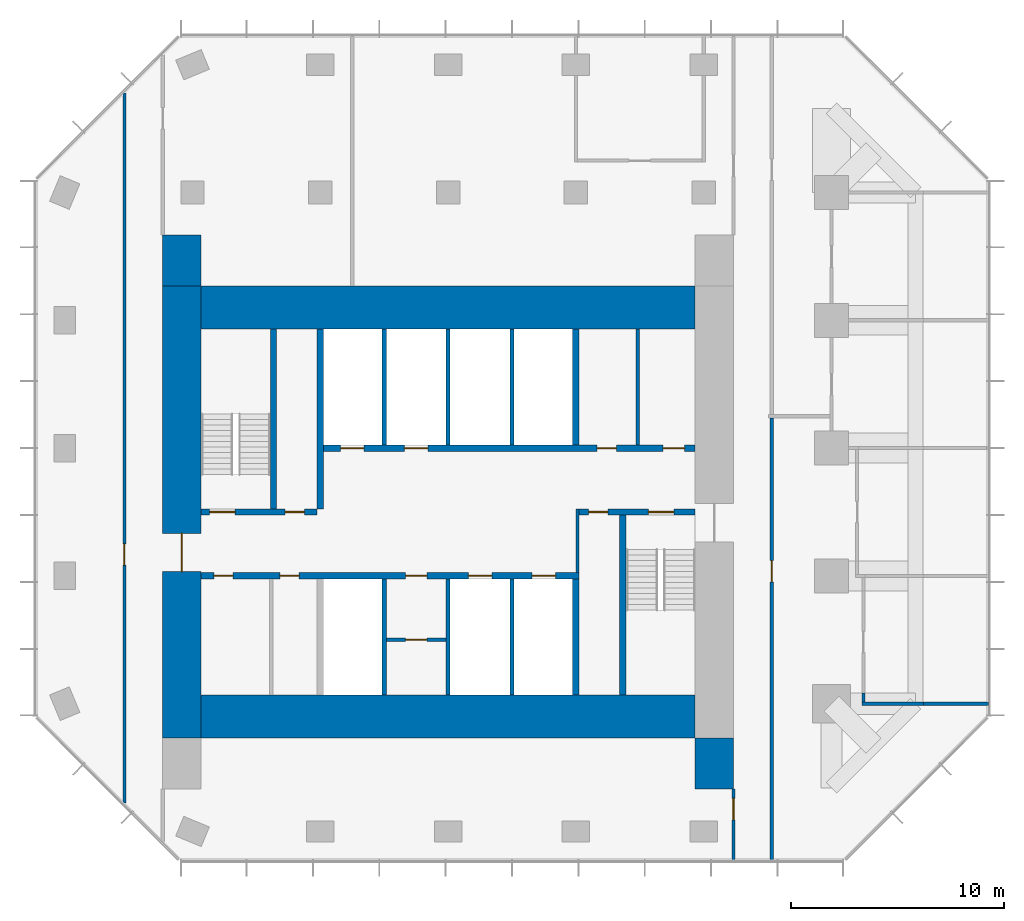
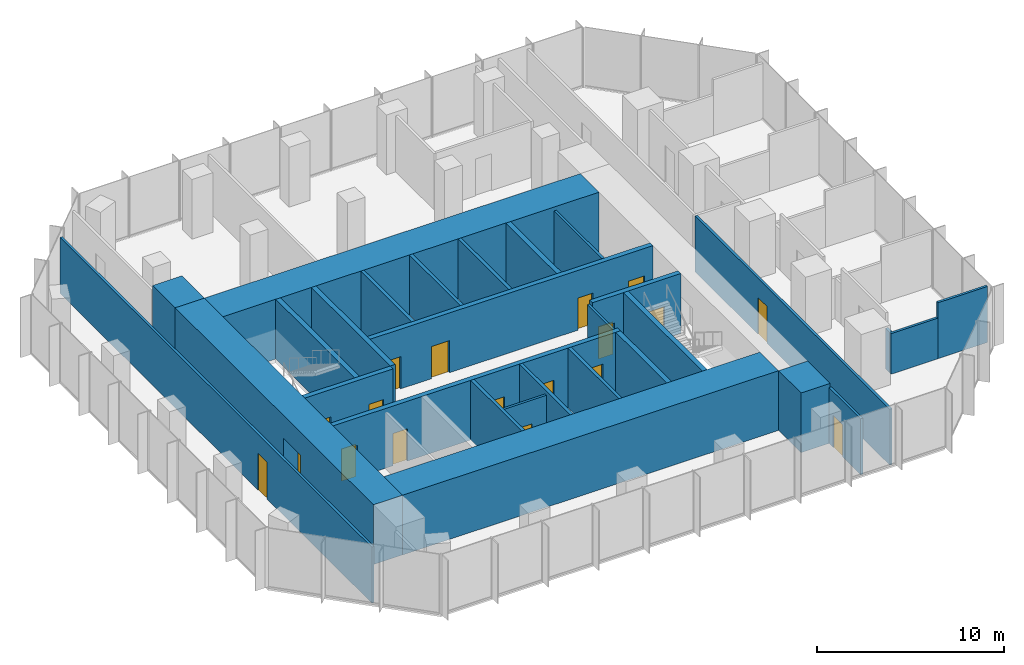
# One storey, part 8 of 10: 29 walls, 18 doors, 18 openings.
"""IFC4 building model written with IfcOpenShell, lengths in metres."""

from ifc_helpers import new_model, si_unit, direction, frame, frame_2d, origin, place, context, subcontext, project, spatial, rectangle, extrude, material, layer, layer_set, type_object, element, fill, save


model = new_model("IFC4")

# Units and contexts
model_context = context("Model", 3, precision=1e-05, world=origin(), true_north=direction((0.0, 1.0)))
body_context = subcontext(model_context, "Body", "Model", "MODEL_VIEW")
ifc_project = project(units=[si_unit("LENGTHUNIT", "METRE"), si_unit("AREAUNIT", "SQUARE_METRE"), si_unit("VOLUMEUNIT", "CUBIC_METRE"), si_unit("PLANEANGLEUNIT", "RADIAN"), si_unit("MASSUNIT", "GRAM", prefix="KILO")], contexts=[model_context])

# Site, building, storey
site_placement = place(None, origin())
site = spatial("IfcSite", under=ifc_project, at=site_placement, CompositionType="ELEMENT")
building_placement = place(site_placement, origin())
building = spatial("IfcBuilding", under=site, at=building_placement, Name="Highveld Stack Headquarters", CompositionType="ELEMENT")
storey_placement = place(building_placement, frame((0.0, 0.0, 248.89990234375)))
storey = spatial("IfcBuildingStorey", under=building, at=storey_placement, Name="L61", CompositionType="ELEMENT", Elevation=248.89990234375)

# Wall, opening, door
ifc_material_1 = material(Name="Concrete C60/75", Category="concrete")
ifc_layer_1 = layer(ifc_material_1, 1.800048828125)
ifc_layer_set_1 = layer_set([ifc_layer_1], Name="Concrete C60/75")
wall_type_1 = type_object("IfcWallType", Name="CORE WALL 1800 C60/75", PredefinedType="SHEAR", material=ifc_layer_set_1)
wall_1_placement = place(storey_placement, frame((-6.5, -7.60009765625, 0.0), z_axis=(0.0, 0.0, 1.0), x_axis=(0.0, 1.0, 0.0)))
wall_1 = element("IfcWall", 1, at=wall_1_placement, inside=storey, type_object=wall_type_1, Name="Core wall W L61", PredefinedType="SHEAR", context=body_context, shape_type="SweptSolid", body=[
    extrude(rectangle(XDim=21.2001953125, YDim=1.800048828125, at=frame_2d((10.60009765625, 0.0))), origin(), (0.0, 0.0, 1.0), 3.900146484375),
])
opening_1_placement = place(wall_1_placement, frame((7.800048828125, 0.0, 0.0)))
opening_1 = element("IfcOpeningElement", 2, at=opening_1_placement, cuts=wall_1, Name="Opening L61-01", PredefinedType="OPENING", context=body_context, shape_type="SweptSolid", body=[
    extrude(rectangle(XDim=1.800048828125, YDim=2.39990234375, at=frame_2d((0.89990234375, 1.199951171875))), frame((0.0, 0.909912109375, 0.0), z_axis=(0.0, -1.0, 0.0), x_axis=(1.0, 0.0, 0.0)), (0.0, 0.0, 1.0), 1.820068359375),
])
ifc_material_2 = material(Name="Steel fire door", Category="steel")
door_type_1 = type_object("IfcDoorType", Name="LOBBY FIRE DOOR D4 1800x2400", OperationType="DOUBLE_DOOR_SINGLE_SWING", PredefinedType="DOOR", material=ifc_material_2)
door_1_placement = place(opening_1_placement, origin())
door_1 = element("IfcDoor", 3, at=door_1_placement, inside=storey, type_object=door_type_1, Name="Core west door L61", OperationType="DOUBLE_DOOR_SINGLE_SWING", OverallHeight=2.39990234375, OverallWidth=1.800048828125, PredefinedType="DOOR", context=body_context, shape_type="SweptSolid", body=[
    extrude(rectangle(XDim=1.800048828125, YDim=2.39990234375, at=frame_2d((0.89990234375, 1.199951171875))), frame((0.0, 0.02490234375, 0.0), z_axis=(0.0, -1.0, 0.0), x_axis=(1.0, 0.0, 0.0)), (0.0, 0.0, 1.0), 0.050048828125),
])
fill(opening_1, door_1)

# Walls
ifc_material_3 = material(Name="Concrete C60/75", Category="concrete")
ifc_layer_2 = layer(ifc_material_3, 2.0)
ifc_layer_set_2 = layer_set([ifc_layer_2], Name="Concrete C60/75")
wall_type_2 = type_object("IfcWallType", Name="CORE WALL 2000 C60/75", PredefinedType="SHEAR", material=ifc_layer_set_2)
for number, where, z_axis, x_axis, name in (
    (4, (-5.60009765625, -6.60009765625, 0.0), (0.0, 0.0, 1.0), (1.0, 0.0, 0.0), "Core wall S L61"),
    (5, (-5.60009765625, 12.60009765625, 0.0), (0.0, 0.0, 1.0), (1.0, 0.0, 0.0), "Core wall N L61"),
):
    element("IfcWall", number, at=place(storey_placement, frame(where, z_axis=z_axis, x_axis=x_axis)), inside=storey, type_object=wall_type_2, Name=name, PredefinedType="SHEAR", context=body_context, shape_type="SweptSolid", body=[
        extrude(rectangle(XDim=23.2001953125, YDim=2.0, at=frame_2d((11.60009765625, 0.0))), origin(), (0.0, 0.0, 1.0), 3.900146484375),
    ])

# Wall, openings, doors
ifc_material_4 = material(Name="Concrete C60/75", Category="concrete")
ifc_layer_3 = layer(ifc_material_4, 0.300048828125)
ifc_layer_set_3 = layer_set([ifc_layer_3], Name="Concrete C60/75")
wall_type_3 = type_object("IfcWallType", Name="CORE WALL 300 C60/75", PredefinedType="SHEAR", material=ifc_layer_set_3)
wall_2_placement = place(storey_placement, frame((-5.60009765625, 0.0, 0.0), z_axis=(0.0, 0.0, 1.0), x_axis=(1.0, 0.0, 0.0)))
wall_2 = element("IfcWall", 6, at=wall_2_placement, inside=storey, type_object=wall_type_3, Name="Core wall I-Y0 L61", PredefinedType="SHEAR", context=body_context, shape_type="SweptSolid", body=[
    extrude(rectangle(XDim=17.75, YDim=0.300048828125, at=frame_2d((8.875, 0.0))), origin(), (0.0, 0.0, 1.0), 3.900146484375),
])
opening_2_placement = place(wall_2_placement, frame((0.60009765625, 0.0, 0.0)))
opening_2 = element("IfcOpeningElement", 7, at=opening_2_placement, cuts=wall_2, Name="Opening L61-07", PredefinedType="OPENING", context=body_context, shape_type="SweptSolid", body=[
    extrude(rectangle(XDim=0.89990234375, YDim=2.10009765625, at=frame_2d((0.449951171875, 1.050048828125))), frame((0.0, 0.159912109375, 0.0), z_axis=(0.0, -1.0, 0.0), x_axis=(1.0, 0.0, 0.0)), (0.0, 0.0, 1.0), 0.320068359375),
])
opening_3_placement = place(wall_2_placement, frame((3.699951171875, 0.0, 0.0)))
opening_3 = element("IfcOpeningElement", 8, at=opening_3_placement, cuts=wall_2, Name="Opening L61-08", PredefinedType="OPENING", context=body_context, shape_type="SweptSolid", body=[
    extrude(rectangle(XDim=0.89990234375, YDim=2.10009765625, at=frame_2d((0.449951171875, 1.050048828125))), frame((0.0, 0.159912109375, 0.0), z_axis=(0.0, -1.0, 0.0), x_axis=(1.0, 0.0, 0.0)), (0.0, 0.0, 1.0), 0.320068359375),
])
opening_4_placement = place(wall_2_placement, frame((9.60009765625, 0.0, 0.0)))
opening_4 = element("IfcOpeningElement", 9, at=opening_4_placement, cuts=wall_2, Name="Opening L61-12", PredefinedType="OPENING", context=body_context, shape_type="SweptSolid", body=[
    extrude(rectangle(XDim=1.0, YDim=2.10009765625, at=frame_2d((0.5, 1.050048828125))), frame((0.0, 0.159912109375, 0.0), z_axis=(0.0, -1.0, 0.0), x_axis=(1.0, 0.0, 0.0)), (0.0, 0.0, 1.0), 0.320068359375),
])
opening_5_placement = place(wall_2_placement, frame((12.550048828125, 0.0, 0.0)))
opening_5 = element("IfcOpeningElement", 10, at=opening_5_placement, cuts=wall_2, Name="Opening LD", PredefinedType="OPENING", context=body_context, shape_type="SweptSolid", body=[
    extrude(rectangle(XDim=1.10009765625, YDim=2.10009765625, at=frame_2d((0.550048828125, 1.050048828125))), frame((0.0, 0.159912109375, 0.0), z_axis=(0.0, -1.0, 0.0), x_axis=(1.0, 0.0, 0.0)), (0.0, 0.0, 1.0), 0.320068359375),
])
opening_6_placement = place(wall_2_placement, frame((15.550048828125, 0.0, 0.0)))
opening_6 = element("IfcOpeningElement", 11, at=opening_6_placement, cuts=wall_2, Name="Opening LD", PredefinedType="OPENING", context=body_context, shape_type="SweptSolid", body=[
    extrude(rectangle(XDim=1.10009765625, YDim=2.10009765625, at=frame_2d((0.550048828125, 1.050048828125))), frame((0.0, 0.159912109375, 0.0), z_axis=(0.0, -1.0, 0.0), x_axis=(1.0, 0.0, 0.0)), (0.0, 0.0, 1.0), 0.320068359375),
])
ifc_material_5 = material(Name="Steel fire door", Category="steel")
door_type_2 = type_object("IfcDoorType", Name="CORE ROOM FIRE DOOR D14 1000x2100", OperationType="SINGLE_SWING_LEFT", PredefinedType="DOOR", material=ifc_material_5)
door_2_placement = place(opening_4_placement, origin())
door_2 = element("IfcDoor", 12, at=door_2_placement, inside=storey, type_object=door_type_2, Name="Capped B 1 door L61", OperationType="SINGLE_SWING_RIGHT", OverallHeight=2.10009765625, OverallWidth=1.0, PredefinedType="DOOR", context=body_context, shape_type="SweptSolid", body=[
    extrude(rectangle(XDim=1.0, YDim=2.10009765625, at=frame_2d((0.5, 1.050048828125))), frame((0.0, 0.02490234375, 0.0), z_axis=(0.0, -1.0, 0.0), x_axis=(1.0, 0.0, 0.0)), (0.0, 0.0, 1.0), 0.050048828125),
])
fill(opening_4, door_2)
ifc_material_6 = material(Name="Stainless steel lift landing door", Category="steel")
door_type_3 = type_object("IfcDoorType", Name="LIFT LANDING DOOR LD 1100x2100", OperationType="DOUBLE_DOOR_SLIDING", PredefinedType="USERDEFINED", material=ifc_material_6)
door_3_placement = place(opening_5_placement, origin())
door_3 = element("IfcDoor", 13, at=door_3_placement, inside=storey, type_object=door_type_3, Name="Lift landing door C1 L61", ObjectType="LIFT LANDING DOOR", OperationType="DOUBLE_DOOR_SLIDING", OverallHeight=2.10009765625, OverallWidth=1.10009765625, PredefinedType="USERDEFINED", context=body_context, shape_type="SweptSolid", body=[
    extrude(rectangle(XDim=1.10009765625, YDim=2.10009765625, at=frame_2d((0.550048828125, 1.050048828125))), frame((0.0, 0.02490234375, 0.0), z_axis=(0.0, -1.0, 0.0), x_axis=(1.0, 0.0, 0.0)), (0.0, 0.0, 1.0), 0.050048828125),
])
fill(opening_5, door_3)
door_4_placement = place(opening_6_placement, origin())
door_4 = element("IfcDoor", 14, at=door_4_placement, inside=storey, type_object=door_type_3, Name="Lift landing door C2 L61", ObjectType="LIFT LANDING DOOR", OperationType="DOUBLE_DOOR_SLIDING", OverallHeight=2.10009765625, OverallWidth=1.10009765625, PredefinedType="USERDEFINED", context=body_context, shape_type="SweptSolid", body=[
    extrude(rectangle(XDim=1.10009765625, YDim=2.10009765625, at=frame_2d((0.550048828125, 1.050048828125))), frame((0.0, 0.02490234375, 0.0), z_axis=(0.0, -1.0, 0.0), x_axis=(1.0, 0.0, 0.0)), (0.0, 0.0, 1.0), 0.050048828125),
])
fill(opening_6, door_4)
ifc_material_7 = material(Name="Timber door, painted", Category="wood")
door_type_4 = type_object("IfcDoorType", Name="WC DOOR D1 900x2100", OperationType="SINGLE_SWING_LEFT", PredefinedType="DOOR", material=ifc_material_7)
door_5_placement = place(opening_2_placement, origin())
door_5 = element("IfcDoor", 15, at=door_5_placement, inside=storey, type_object=door_type_4, Name="Female WC door L61", OperationType="SINGLE_SWING_LEFT", OverallHeight=2.10009765625, OverallWidth=0.89990234375, PredefinedType="DOOR", context=body_context, shape_type="SweptSolid", body=[
    extrude(rectangle(XDim=0.89990234375, YDim=2.10009765625, at=frame_2d((0.449951171875, 1.050048828125))), frame((0.0, 0.02490234375, 0.0), z_axis=(0.0, -1.0, 0.0), x_axis=(1.0, 0.0, 0.0)), (0.0, 0.0, 1.0), 0.050048828125),
])
fill(opening_2, door_5)
door_6_placement = place(opening_3_placement, origin())
door_6 = element("IfcDoor", 16, at=door_6_placement, inside=storey, type_object=door_type_4, Name="Shower and changing room door L61", OperationType="SINGLE_SWING_LEFT", OverallHeight=2.10009765625, OverallWidth=0.89990234375, PredefinedType="DOOR", context=body_context, shape_type="SweptSolid", body=[
    extrude(rectangle(XDim=0.89990234375, YDim=2.10009765625, at=frame_2d((0.449951171875, 1.050048828125))), frame((0.0, 0.02490234375, 0.0), z_axis=(0.0, -1.0, 0.0), x_axis=(1.0, 0.0, 0.0)), (0.0, 0.0, 1.0), 0.050048828125),
])
fill(opening_3, door_6)

wall_3_placement = place(storey_placement, frame((-5.60009765625, 3.0, 0.0), z_axis=(0.0, 0.0, 1.0), x_axis=(1.0, 0.0, 0.0)))
wall_3 = element("IfcWall", 17, at=wall_3_placement, inside=storey, type_object=wall_type_3, Name="Core wall I-Y3W L61", PredefinedType="SHEAR", context=body_context, shape_type="SweptSolid", body=[
    extrude(rectangle(XDim=5.4501953125, YDim=0.300048828125, at=frame_2d((2.72509765625, 0.0))), origin(), (0.0, 0.0, 1.0), 3.900146484375),
])
opening_7_placement = place(wall_3_placement, frame((0.39990234375, 0.0, 0.0)))
opening_7 = element("IfcOpeningElement", 18, at=opening_7_placement, cuts=wall_3, Name="Opening L61-03", PredefinedType="OPENING", context=body_context, shape_type="SweptSolid", body=[
    extrude(rectangle(XDim=1.199951171875, YDim=2.10009765625, at=frame_2d((0.60009765625, 1.050048828125))), frame((0.0, 0.159912109375, 0.0), z_axis=(0.0, -1.0, 0.0), x_axis=(1.0, 0.0, 0.0)), (0.0, 0.0, 1.0), 0.320068359375),
])
opening_8_placement = place(wall_3_placement, frame((3.949951171875, 0.0, 0.0)))
opening_8 = element("IfcOpeningElement", 19, at=opening_8_placement, cuts=wall_3, Name="Opening L61-04", PredefinedType="OPENING", context=body_context, shape_type="SweptSolid", body=[
    extrude(rectangle(XDim=0.89990234375, YDim=2.10009765625, at=frame_2d((0.449951171875, 1.050048828125))), frame((0.0, 0.159912109375, 0.0), z_axis=(0.0, -1.0, 0.0), x_axis=(1.0, 0.0, 0.0)), (0.0, 0.0, 1.0), 0.320068359375),
])
ifc_material_8 = material(Name="Steel fire door", Category="steel")
door_type_5 = type_object("IfcDoorType", Name="RISER ACCESS DOOR D5 900x2100", OperationType="SINGLE_SWING_LEFT", PredefinedType="DOOR", material=ifc_material_8)
door_7_placement = place(opening_8_placement, origin())
door_7 = element("IfcDoor", 20, at=door_7_placement, inside=storey, type_object=door_type_5, Name="Riser R1 door L61", OperationType="SINGLE_SWING_RIGHT", OverallHeight=2.10009765625, OverallWidth=0.89990234375, PredefinedType="DOOR", context=body_context, shape_type="SweptSolid", body=[
    extrude(rectangle(XDim=0.89990234375, YDim=2.10009765625, at=frame_2d((0.449951171875, 1.050048828125))), frame((0.0, 0.02490234375, 0.0), z_axis=(0.0, -1.0, 0.0), x_axis=(1.0, 0.0, 0.0)), (0.0, 0.0, 1.0), 0.050048828125),
])
fill(opening_8, door_7)
ifc_material_9 = material(Name="Steel fire door", Category="steel")
door_type_6 = type_object("IfcDoorType", Name="STAIR FIRE DOOR D3 1200x2100", OperationType="SINGLE_SWING_LEFT", PredefinedType="DOOR", material=ifc_material_9)
door_8_placement = place(opening_7_placement, origin())
door_8 = element("IfcDoor", 21, at=door_8_placement, inside=storey, type_object=door_type_6, Name="Stair S1 door L61", OperationType="SINGLE_SWING_LEFT", OverallHeight=2.10009765625, OverallWidth=1.199951171875, PredefinedType="DOOR", context=body_context, shape_type="SweptSolid", body=[
    extrude(rectangle(XDim=1.199951171875, YDim=2.10009765625, at=frame_2d((0.60009765625, 1.050048828125))), frame((0.0, 0.02490234375, 0.0), z_axis=(0.0, -1.0, 0.0), x_axis=(1.0, 0.0, 0.0)), (0.0, 0.0, 1.0), 0.050048828125),
])
fill(opening_7, door_8)

wall_4_placement = place(storey_placement, frame((12.14990234375, 3.0, 0.0), z_axis=(0.0, 0.0, 1.0), x_axis=(1.0, 0.0, 0.0)))
wall_4 = element("IfcWall", 22, at=wall_4_placement, inside=storey, type_object=wall_type_3, Name="Core wall I-Y3E L61", PredefinedType="SHEAR", context=body_context, shape_type="SweptSolid", body=[
    extrude(rectangle(XDim=5.4501953125, YDim=0.300048828125, at=frame_2d((2.72509765625, 0.0))), origin(), (0.0, 0.0, 1.0), 3.900146484375),
])
opening_9_placement = place(wall_4_placement, frame((3.25, 0.0, 0.0)))
opening_9 = element("IfcOpeningElement", 23, at=opening_9_placement, cuts=wall_4, Name="Opening L61-05", PredefinedType="OPENING", context=body_context, shape_type="SweptSolid", body=[
    extrude(rectangle(XDim=1.199951171875, YDim=2.10009765625, at=frame_2d((0.60009765625, 1.050048828125))), frame((0.0, 0.159912109375, 0.0), z_axis=(0.0, -1.0, 0.0), x_axis=(1.0, 0.0, 0.0)), (0.0, 0.0, 1.0), 0.320068359375),
])
opening_10_placement = place(wall_4_placement, frame((0.449951171875, 0.0, 0.0)))
opening_10 = element("IfcOpeningElement", 24, at=opening_10_placement, cuts=wall_4, Name="Opening L61-06", PredefinedType="OPENING", context=body_context, shape_type="SweptSolid", body=[
    extrude(rectangle(XDim=0.89990234375, YDim=2.10009765625, at=frame_2d((0.449951171875, 1.050048828125))), frame((0.0, 0.159912109375, 0.0), z_axis=(0.0, -1.0, 0.0), x_axis=(1.0, 0.0, 0.0)), (0.0, 0.0, 1.0), 0.320068359375),
])
door_9_placement = place(opening_10_placement, origin())
door_9 = element("IfcDoor", 25, at=door_9_placement, inside=storey, type_object=door_type_5, Name="Riser R2 door L61", OperationType="SINGLE_SWING_LEFT", OverallHeight=2.10009765625, OverallWidth=0.89990234375, PredefinedType="DOOR", context=body_context, shape_type="SweptSolid", body=[
    extrude(rectangle(XDim=0.89990234375, YDim=2.10009765625, at=frame_2d((0.449951171875, 1.050048828125))), frame((0.0, 0.02490234375, 0.0), z_axis=(0.0, -1.0, 0.0), x_axis=(1.0, 0.0, 0.0)), (0.0, 0.0, 1.0), 0.050048828125),
])
fill(opening_10, door_9)
door_10_placement = place(opening_9_placement, origin())
door_10 = element("IfcDoor", 26, at=door_10_placement, inside=storey, type_object=door_type_6, Name="Stair S2 door L61", OperationType="SINGLE_SWING_RIGHT", OverallHeight=2.10009765625, OverallWidth=1.199951171875, PredefinedType="DOOR", context=body_context, shape_type="SweptSolid", body=[
    extrude(rectangle(XDim=1.199951171875, YDim=2.10009765625, at=frame_2d((0.60009765625, 1.050048828125))), frame((0.0, 0.02490234375, 0.0), z_axis=(0.0, -1.0, 0.0), x_axis=(1.0, 0.0, 0.0)), (0.0, 0.0, 1.0), 0.050048828125),
])
fill(opening_9, door_10)

wall_5_placement = place(storey_placement, frame((-0.14990234375, 6.0, 0.0), z_axis=(0.0, 0.0, 1.0), x_axis=(1.0, 0.0, 0.0)))
wall_5 = element("IfcWall", 27, at=wall_5_placement, inside=storey, type_object=wall_type_3, Name="Core wall I-Y6 L61", PredefinedType="SHEAR", context=body_context, shape_type="SweptSolid", body=[
    extrude(rectangle(XDim=17.75, YDim=0.300048828125, at=frame_2d((8.875, 0.0))), origin(), (0.0, 0.0, 1.0), 3.900146484375),
])
opening_11_placement = place(wall_5_placement, frame((13.14990234375, 0.0, 0.0)))
opening_11 = element("IfcOpeningElement", 28, at=opening_11_placement, cuts=wall_5, Name="Opening L61-09", PredefinedType="OPENING", context=body_context, shape_type="SweptSolid", body=[
    extrude(rectangle(XDim=0.89990234375, YDim=2.10009765625, at=frame_2d((0.449951171875, 1.050048828125))), frame((0.0, 0.159912109375, 0.0), z_axis=(0.0, -1.0, 0.0), x_axis=(1.0, 0.0, 0.0)), (0.0, 0.0, 1.0), 0.320068359375),
])
opening_12_placement = place(wall_5_placement, frame((16.25, 0.0, 0.0)))
opening_12 = element("IfcOpeningElement", 29, at=opening_12_placement, cuts=wall_5, Name="Opening L61-10", PredefinedType="OPENING", context=body_context, shape_type="SweptSolid", body=[
    extrude(rectangle(XDim=1.0, YDim=2.10009765625, at=frame_2d((0.5, 1.050048828125))), frame((0.0, 0.159912109375, 0.0), z_axis=(0.0, -1.0, 0.0), x_axis=(1.0, 0.0, 0.0)), (0.0, 0.0, 1.0), 0.320068359375),
])
opening_13_placement = place(wall_5_placement, frame((1.10009765625, 0.0, 0.0)))
opening_13 = element("IfcOpeningElement", 30, at=opening_13_placement, cuts=wall_5, Name="Opening LD", PredefinedType="OPENING", context=body_context, shape_type="SweptSolid", body=[
    extrude(rectangle(XDim=1.10009765625, YDim=2.10009765625, at=frame_2d((0.550048828125, 1.050048828125))), frame((0.0, 0.159912109375, 0.0), z_axis=(0.0, -1.0, 0.0), x_axis=(1.0, 0.0, 0.0)), (0.0, 0.0, 1.0), 0.320068359375),
])
opening_14_placement = place(wall_5_placement, frame((4.10009765625, 0.0, 0.0)))
opening_14 = element("IfcOpeningElement", 31, at=opening_14_placement, cuts=wall_5, Name="Opening LD", PredefinedType="OPENING", context=body_context, shape_type="SweptSolid", body=[
    extrude(rectangle(XDim=1.10009765625, YDim=2.10009765625, at=frame_2d((0.550048828125, 1.050048828125))), frame((0.0, 0.159912109375, 0.0), z_axis=(0.0, -1.0, 0.0), x_axis=(1.0, 0.0, 0.0)), (0.0, 0.0, 1.0), 0.320068359375),
])
ifc_material_10 = material(Name="Timber door, painted", Category="wood")
door_type_7 = type_object("IfcDoorType", Name="ACCESSIBLE WC DOOR D2 1000x2100", OperationType="SINGLE_SWING_RIGHT", PredefinedType="DOOR", material=ifc_material_10)
door_11_placement = place(opening_12_placement, origin())
door_11 = element("IfcDoor", 32, at=door_11_placement, inside=storey, type_object=door_type_7, Name="Accessible WC door L61", OperationType="SINGLE_SWING_RIGHT", OverallHeight=2.10009765625, OverallWidth=1.0, PredefinedType="DOOR", context=body_context, shape_type="SweptSolid", body=[
    extrude(rectangle(XDim=1.0, YDim=2.10009765625, at=frame_2d((0.5, 1.050048828125))), frame((0.0, 0.02490234375, 0.0), z_axis=(0.0, -1.0, 0.0), x_axis=(1.0, 0.0, 0.0)), (0.0, 0.0, 1.0), 0.050048828125),
])
fill(opening_12, door_11)
door_12_placement = place(opening_13_placement, origin())
door_12 = element("IfcDoor", 33, at=door_12_placement, inside=storey, type_object=door_type_3, Name="Lift landing door FF1 L61", ObjectType="LIFT LANDING DOOR", OperationType="DOUBLE_DOOR_SLIDING", OverallHeight=2.10009765625, OverallWidth=1.10009765625, PredefinedType="USERDEFINED", context=body_context, shape_type="SweptSolid", body=[
    extrude(rectangle(XDim=1.10009765625, YDim=2.10009765625, at=frame_2d((0.550048828125, 1.050048828125))), frame((0.0, 0.02490234375, 0.0), z_axis=(0.0, -1.0, 0.0), x_axis=(1.0, 0.0, 0.0)), (0.0, 0.0, 1.0), 0.050048828125),
])
fill(opening_13, door_12)
door_13_placement = place(opening_14_placement, origin())
door_13 = element("IfcDoor", 34, at=door_13_placement, inside=storey, type_object=door_type_3, Name="Lift landing door FF2 L61", ObjectType="LIFT LANDING DOOR", OperationType="DOUBLE_DOOR_SLIDING", OverallHeight=2.10009765625, OverallWidth=1.10009765625, PredefinedType="USERDEFINED", context=body_context, shape_type="SweptSolid", body=[
    extrude(rectangle(XDim=1.10009765625, YDim=2.10009765625, at=frame_2d((0.550048828125, 1.050048828125))), frame((0.0, 0.02490234375, 0.0), z_axis=(0.0, -1.0, 0.0), x_axis=(1.0, 0.0, 0.0)), (0.0, 0.0, 1.0), 0.050048828125),
])
fill(opening_14, door_13)
door_14_placement = place(opening_11_placement, origin())
door_14 = element("IfcDoor", 35, at=door_14_placement, inside=storey, type_object=door_type_4, Name="Male WC door L61", OperationType="SINGLE_SWING_RIGHT", OverallHeight=2.10009765625, OverallWidth=0.89990234375, PredefinedType="DOOR", context=body_context, shape_type="SweptSolid", body=[
    extrude(rectangle(XDim=0.89990234375, YDim=2.10009765625, at=frame_2d((0.449951171875, 1.050048828125))), frame((0.0, 0.02490234375, 0.0), z_axis=(0.0, -1.0, 0.0), x_axis=(1.0, 0.0, 0.0)), (0.0, 0.0, 1.0), 0.050048828125),
])
fill(opening_11, door_14)

# Walls
wall_6_placement = place(storey_placement, frame((0.0, 3.14990234375, 0.0), z_axis=(0.0, 0.0, 1.0), x_axis=(0.0, 1.0, 0.0)))
element("IfcWall", 36, at=wall_6_placement, inside=storey, type_object=wall_type_3, Name="Core wall I-X0N L61", PredefinedType="SHEAR", context=body_context, shape_type="SweptSolid", body=[
    extrude(rectangle(XDim=8.4501953125, YDim=0.300048828125, at=frame_2d((4.22509765625, 0.0))), origin(), (0.0, 0.0, 1.0), 3.900146484375),
])
for number, where, z_axis, x_axis, name in (
    (37, (12.0, -5.60009765625, 0.0), (0.0, 0.0, 1.0), (0.0, 1.0, 0.0), "Core wall I-X12S L61"),
    (38, (12.0, 6.14990234375, 0.0), (0.0, 0.0, 1.0), (0.0, 1.0, 0.0), "Core wall I-X12N L61"),
):
    element("IfcWall", number, at=place(storey_placement, frame(where, z_axis=z_axis, x_axis=x_axis)), inside=storey, type_object=wall_type_3, Name=name, PredefinedType="SHEAR", context=body_context, shape_type="SweptSolid", body=[
        extrude(rectangle(XDim=5.4501953125, YDim=0.300048828125, at=frame_2d((2.72509765625, 0.0))), origin(), (0.0, 0.0, 1.0), 3.900146484375),
    ])
for number, where, z_axis, x_axis, name in (
    (39, (-2.199951171875, 3.14990234375, 0.0), (0.0, 0.0, 1.0), (0.0, 1.0, 0.0), "Core wall I-RW L61"),
    (40, (14.199951171875, -5.60009765625, 0.0), (0.0, 0.0, 1.0), (0.0, 1.0, 0.0), "Core wall I-RE L61"),
):
    element("IfcWall", number, at=place(storey_placement, frame(where, z_axis=z_axis, x_axis=x_axis)), inside=storey, type_object=wall_type_3, Name=name, PredefinedType="SHEAR", context=body_context, shape_type="SweptSolid", body=[
        extrude(rectangle(XDim=8.4501953125, YDim=0.300048828125, at=frame_2d((4.22509765625, 0.0))), origin(), (0.0, 0.0, 1.0), 3.900146484375),
    ])
ifc_material_11 = material(Name="Concrete C60/75", Category="concrete")
ifc_layer_4 = layer(ifc_material_11, 1.800048828125)
ifc_layer_set_4 = layer_set([ifc_layer_4], Name="Concrete C60/75")
wall_type_4 = type_object("IfcWallType", Name="CORE WING WALL 1800 C60/75", PredefinedType="SHEAR", material=ifc_layer_set_4)
for number, where, z_axis, x_axis, name in (
    (41, (-6.5, 13.60009765625, 0.0), (0.0, 0.0, 1.0), (0.0, 1.0, 0.0), "Core wing wall WN L61"),
    (42, (18.5, -10.0, 0.0), (0.0, 0.0, 1.0), (0.0, 1.0, 0.0), "Core wing wall ES L61"),
):
    element("IfcWall", number, at=place(storey_placement, frame(where, z_axis=z_axis, x_axis=x_axis)), inside=storey, type_object=wall_type_4, Name=name, PredefinedType="SHEAR", context=body_context, shape_type="SweptSolid", body=[
        extrude(rectangle(XDim=2.39990234375, YDim=1.800048828125, at=frame_2d((1.199951171875, 0.0))), origin(), (0.0, 0.0, 1.0), 3.900146484375),
    ])

# Wall, opening, door
ifc_material_12 = material(Name="Concrete blockwork, plastered", Category="masonry")
ifc_layer_5 = layer(ifc_material_12, 0.14990234375)
ifc_layer_set_5 = layer_set([ifc_layer_5], Name="Concrete blockwork, plastered")
wall_type_5 = type_object("IfcWallType", Name="FIRE PARTITION 150 BLOCKWORK", PredefinedType="PARTITIONING", material=ifc_layer_set_5)
wall_7_placement = place(storey_placement, frame((3.10009765625, -3.0, 0.0), z_axis=(0.0, 0.0, 1.0), x_axis=(1.0, 0.0, 0.0)))
wall_7 = element("IfcWall", 43, at=wall_7_placement, inside=storey, type_object=wall_type_5, Name="Core room partition L61", PredefinedType="PARTITIONING", context=body_context, shape_type="SweptSolid", body=[
    extrude(rectangle(XDim=2.7998046875, YDim=0.14990234375, at=frame_2d((1.39990234375, 0.0))), origin(), (0.0, 0.0, 1.0), 3.650146484375),
])
opening_15_placement = place(wall_7_placement, frame((0.89990234375, 0.0, 0.0)))
opening_15 = element("IfcOpeningElement", 44, at=opening_15_placement, cuts=wall_7, Name="Opening L61-11", PredefinedType="OPENING", context=body_context, shape_type="SweptSolid", body=[
    extrude(rectangle(XDim=1.0, YDim=2.10009765625, at=frame_2d((0.5, 1.050048828125))), frame((0.0, 0.0849609375, 0.0), z_axis=(0.0, -1.0, 0.0), x_axis=(1.0, 0.0, 0.0)), (0.0, 0.0, 1.0), 0.169921875),
])
door_15_placement = place(opening_15_placement, origin())
door_15 = element("IfcDoor", 45, at=door_15_placement, inside=storey, type_object=door_type_2, Name="Capped B 2 door L61", OperationType="SINGLE_SWING_RIGHT", OverallHeight=2.10009765625, OverallWidth=1.0, PredefinedType="DOOR", context=body_context, shape_type="SweptSolid", body=[
    extrude(rectangle(XDim=1.0, YDim=2.10009765625, at=frame_2d((0.5, 1.050048828125))), frame((0.0, 0.02490234375, 0.0), z_axis=(0.0, -1.0, 0.0), x_axis=(1.0, 0.0, 0.0)), (0.0, 0.0, 1.0), 0.050048828125),
])
fill(opening_15, door_15)

# Walls
wall_8_placement = place(storey_placement, frame((12.074951171875, 0.14990234375, 0.0), z_axis=(0.0, 0.0, 1.0), x_axis=(0.0, 1.0, 0.0)))
element("IfcWall", 46, at=wall_8_placement, inside=storey, type_object=wall_type_5, Name="Riser R2 enclosure L61", PredefinedType="PARTITIONING", context=body_context, shape_type="SweptSolid", body=[
    extrude(rectangle(XDim=3.0, YDim=0.14990234375, at=frame_2d((1.5, 0.0))), origin(), (0.0, 0.0, 1.0), 3.650146484375),
])
ifc_material_13 = material(Name="Concrete blockwork, fair-faced", Category="masonry")
ifc_layer_6 = layer(ifc_material_13, 0.199951171875)
ifc_layer_set_6 = layer_set([ifc_layer_6], Name="Concrete blockwork, fair-faced")
wall_type_6 = type_object("IfcWallType", Name="LIFT SHAFT ENCLOSURE WALL 200 BLOCKWORK", PredefinedType="SOLIDWALL", material=ifc_layer_set_6)
for number, where, z_axis, x_axis, name in (
    (47, (3.0, 6.14990234375, 0.0), (0.0, 0.0, 1.0), (0.0, 1.0, 0.0), "Lift shaft wall L61"),
    (48, (6.0, 6.14990234375, 0.0), (0.0, 0.0, 1.0), (0.0, 1.0, 0.0), "Lift shaft wall L61"),
    (49, (9.0, 6.14990234375, 0.0), (0.0, 0.0, 1.0), (0.0, 1.0, 0.0), "Lift shaft wall L61"),
    (50, (3.0, -5.60009765625, 0.0), (0.0, 0.0, 1.0), (0.0, 1.0, 0.0), "Lift shaft wall L61"),
    (51, (6.0, -5.60009765625, 0.0), (0.0, 0.0, 1.0), (0.0, 1.0, 0.0), "Lift shaft wall L61"),
    (52, (9.0, -5.60009765625, 0.0), (0.0, 0.0, 1.0), (0.0, 1.0, 0.0), "Lift shaft wall L61"),
):
    element("IfcWall", number, at=place(storey_placement, frame(where, z_axis=z_axis, x_axis=x_axis)), inside=storey, type_object=wall_type_6, Name=name, PredefinedType="SOLIDWALL", context=body_context, shape_type="SweptSolid", body=[
        extrude(rectangle(XDim=5.4501953125, YDim=0.199951171875, at=frame_2d((2.72509765625, 0.0))), origin(), (0.0, 0.0, 1.0), 3.900146484375),
    ])
ifc_material_14 = material(Name="Gypsum plasterboard on steel studs", Category="steel")
ifc_layer_7 = layer(ifc_material_14, 0.14990234375)
ifc_layer_set_7 = layer_set([ifc_layer_7], Name="Gypsum plasterboard on steel studs")
wall_type_7 = type_object("IfcWallType", Name="PARTITION 150 PLASTERBOARD", PredefinedType="PARTITIONING", material=ifc_layer_set_7)
wall_9_placement = place(storey_placement, frame((25.425048828125, -6.0, 0.0), z_axis=(0.0, 0.0, 1.0), x_axis=(1.0, 0.0, 0.0)))
element("IfcWall", 53, at=wall_9_placement, inside=storey, type_object=wall_type_7, Name="Partition Quiet room L61", PredefinedType="PARTITIONING", context=body_context, shape_type="SweptSolid", body=[
    extrude(rectangle(XDim=2.885009765625, YDim=0.14990234375, at=frame_2d((1.4423828125, 0.0))), origin(), (0.0, 0.0, 1.0), 2.650146484375),
])
wall_10_placement = place(storey_placement, frame((28.31005859375, -6.0, 0.0), z_axis=(0.0, 0.0, 1.0), x_axis=(1.0, 0.0, 0.0)))
element("IfcWall", 54, at=wall_10_placement, inside=storey, type_object=wall_type_7, Name="Partition Quiet room L61", PredefinedType="PARTITIONING", context=body_context, shape_type="SweptSolid", body=[
    extrude(rectangle(XDim=3.06494140625, YDim=0.14990234375, at=frame_2d((1.532470703125, 0.0))), origin(), (0.0, 0.0, 1.0), 3.650146484375),
])
wall_11_placement = place(storey_placement, frame((25.5, -5.925048828125, 0.0), z_axis=(0.0, 0.0, 1.0), x_axis=(0.0, 1.0, 0.0)))
element("IfcWall", 55, at=wall_11_placement, inside=storey, type_object=wall_type_7, Name="Partition Quiet room L61", PredefinedType="PARTITIONING", context=body_context, shape_type="SweptSolid", body=[
    extrude(rectangle(XDim=0.43505859375, YDim=0.14990234375, at=frame_2d((0.217529296875, 0.0))), origin(), (0.0, 0.0, 1.0), 2.650146484375),
])

# Wall, opening, door
wall_12_placement = place(storey_placement, frame((-9.199951171875, -10.6640625, 0.0), z_axis=(0.0, 0.0, 1.0), x_axis=(0.0, 1.0, 0.0)))
wall_12 = element("IfcWall", 56, at=wall_12_placement, inside=storey, type_object=wall_type_7, Name="Partition office neighbourhood L61", PredefinedType="PARTITIONING", context=body_context, shape_type="SweptSolid", body=[
    extrude(rectangle(XDim=33.328125, YDim=0.14990234375, at=frame_2d((16.6640625, 0.0))), origin(), (0.0, 0.0, 1.0), 3.650146484375),
])
opening_16_placement = place(wall_12_placement, frame((11.172119140625, 0.0, 0.0)))
opening_16 = element("IfcOpeningElement", 57, at=opening_16_placement, cuts=wall_12, Name="Opening L61-19", PredefinedType="OPENING", context=body_context, shape_type="SweptSolid", body=[
    extrude(rectangle(XDim=1.0, YDim=2.39990234375, at=frame_2d((0.5, 1.199951171875))), frame((0.0, 0.0849609375, 0.0), z_axis=(0.0, -1.0, 0.0), x_axis=(1.0, 0.0, 0.0)), (0.0, 0.0, 1.0), 0.169921875),
])
ifc_material_15 = material(Name="Timber door, oiled ash", Category="wood")
door_type_8 = type_object("IfcDoorType", Name="ROOM DOOR D11 1000x2400", OperationType="SINGLE_SWING_LEFT", PredefinedType="DOOR", material=ifc_material_15)
door_16_placement = place(opening_16_placement, origin())
door_16 = element("IfcDoor", 58, at=door_16_placement, inside=storey, type_object=door_type_8, Name="Office neighbourhood door L61", OperationType="SINGLE_SWING_LEFT", OverallHeight=2.39990234375, OverallWidth=1.0, PredefinedType="DOOR", context=body_context, shape_type="SweptSolid", body=[
    extrude(rectangle(XDim=1.0, YDim=2.39990234375, at=frame_2d((0.5, 1.199951171875))), frame((0.0, 0.02490234375, 0.0), z_axis=(0.0, -1.0, 0.0), x_axis=(1.0, 0.0, 0.0)), (0.0, 0.0, 1.0), 0.050048828125),
])
fill(opening_16, door_16)

wall_13_placement = place(storey_placement, frame((19.39990234375, -13.375, 0.0), z_axis=(0.0, 0.0, 1.0), x_axis=(0.0, 1.0, 0.0)))
wall_13 = element("IfcWall", 59, at=wall_13_placement, inside=storey, type_object=wall_type_7, Name="Partition office neighbourhood L61", PredefinedType="PARTITIONING", context=body_context, shape_type="SweptSolid", body=[
    extrude(rectangle(XDim=3.375, YDim=0.14990234375, at=frame_2d((1.6875, 0.0))), origin(), (0.0, 0.0, 1.0), 3.650146484375),
])
opening_17_placement = place(wall_13_placement, frame((1.925048828125, 0.0, 0.0)))
opening_17 = element("IfcOpeningElement", 60, at=opening_17_placement, cuts=wall_13, Name="Opening L61-23", PredefinedType="OPENING", context=body_context, shape_type="SweptSolid", body=[
    extrude(rectangle(XDim=1.0, YDim=2.10009765625, at=frame_2d((0.5, 1.050048828125))), frame((0.0, 0.0849609375, 0.0), z_axis=(0.0, -1.0, 0.0), x_axis=(1.0, 0.0, 0.0)), (0.0, 0.0, 1.0), 0.169921875),
])
ifc_material_16 = material(Name="Timber door, oiled ash", Category="wood")
door_type_9 = type_object("IfcDoorType", Name="ROOM DOOR D6 1000x2100", OperationType="SINGLE_SWING_LEFT", PredefinedType="DOOR", material=ifc_material_16)
door_17_placement = place(opening_17_placement, origin())
door_17 = element("IfcDoor", 61, at=door_17_placement, inside=storey, type_object=door_type_9, Name="Office neighbourhood door L61", OperationType="SINGLE_SWING_RIGHT", OverallHeight=2.10009765625, OverallWidth=1.0, PredefinedType="DOOR", context=body_context, shape_type="SweptSolid", body=[
    extrude(rectangle(XDim=1.0, YDim=2.10009765625, at=frame_2d((0.5, 1.050048828125))), frame((0.0, 0.02490234375, 0.0), z_axis=(0.0, -1.0, 0.0), x_axis=(1.0, 0.0, 0.0)), (0.0, 0.0, 1.0), 0.050048828125),
])
fill(opening_17, door_17)

wall_14_placement = place(storey_placement, frame((21.199951171875, -13.375, 0.0), z_axis=(0.0, 0.0, 1.0), x_axis=(0.0, 1.0, 0.0)))
wall_14 = element("IfcWall", 62, at=wall_14_placement, inside=storey, type_object=wall_type_7, Name="Partition office neighbourhood L61", PredefinedType="PARTITIONING", context=body_context, shape_type="SweptSolid", body=[
    extrude(rectangle(XDim=20.800048828125, YDim=0.14990234375, at=frame_2d((10.39990234375, 0.0))), origin(), (0.0, 0.0, 1.0), 3.650146484375),
])
opening_18_placement = place(wall_14_placement, frame((13.094970703125, 0.0, 0.0)))
opening_18 = element("IfcOpeningElement", 63, at=opening_18_placement, cuts=wall_14, Name="Opening L61-18", PredefinedType="OPENING", context=body_context, shape_type="SweptSolid", body=[
    extrude(rectangle(XDim=1.0, YDim=2.39990234375, at=frame_2d((0.5, 1.199951171875))), frame((0.0, 0.0849609375, 0.0), z_axis=(0.0, -1.0, 0.0), x_axis=(1.0, 0.0, 0.0)), (0.0, 0.0, 1.0), 0.169921875),
])
door_18_placement = place(opening_18_placement, origin())
door_18 = element("IfcDoor", 64, at=door_18_placement, inside=storey, type_object=door_type_8, Name="Office neighbourhood door L61", OperationType="SINGLE_SWING_RIGHT", OverallHeight=2.39990234375, OverallWidth=1.0, PredefinedType="DOOR", context=body_context, shape_type="SweptSolid", body=[
    extrude(rectangle(XDim=1.0, YDim=2.39990234375, at=frame_2d((0.5, 1.199951171875))), frame((0.0, 0.02490234375, 0.0), z_axis=(0.0, -1.0, 0.0), x_axis=(1.0, 0.0, 0.0)), (0.0, 0.0, 1.0), 0.050048828125),
])
fill(opening_18, door_18)

# Wall
ifc_material_17 = material(Name="Concrete blockwork, tiled", Category="masonry")
ifc_layer_8 = layer(ifc_material_17, 0.14990234375)
ifc_layer_set_8 = layer_set([ifc_layer_8], Name="Concrete blockwork, tiled")
wall_type_8 = type_object("IfcWallType", Name="WC PARTITION 150", PredefinedType="PLUMBINGWALL", material=ifc_layer_set_8)
wall_15_placement = place(storey_placement, frame((14.89990234375, 6.14990234375, 0.0), z_axis=(0.0, 0.0, 1.0), x_axis=(0.0, 1.0, 0.0)))
element("IfcWall", 65, at=wall_15_placement, inside=storey, type_object=wall_type_8, Name="Toilet partition L61", PredefinedType="PLUMBINGWALL", context=body_context, shape_type="SweptSolid", body=[
    extrude(rectangle(XDim=5.4501953125, YDim=0.14990234375, at=frame_2d((2.72509765625, 0.0))), origin(), (0.0, 0.0, 1.0), 3.650146484375),
])

save(model, "model.ifc")
